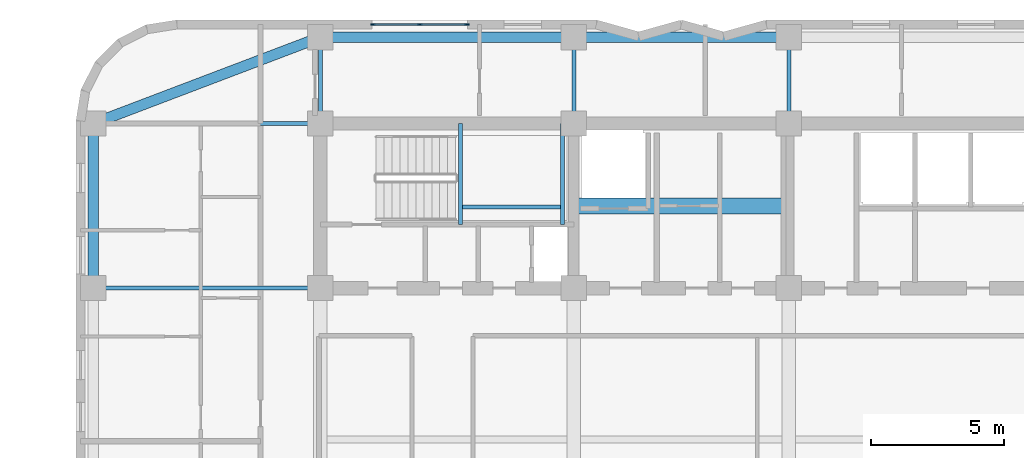
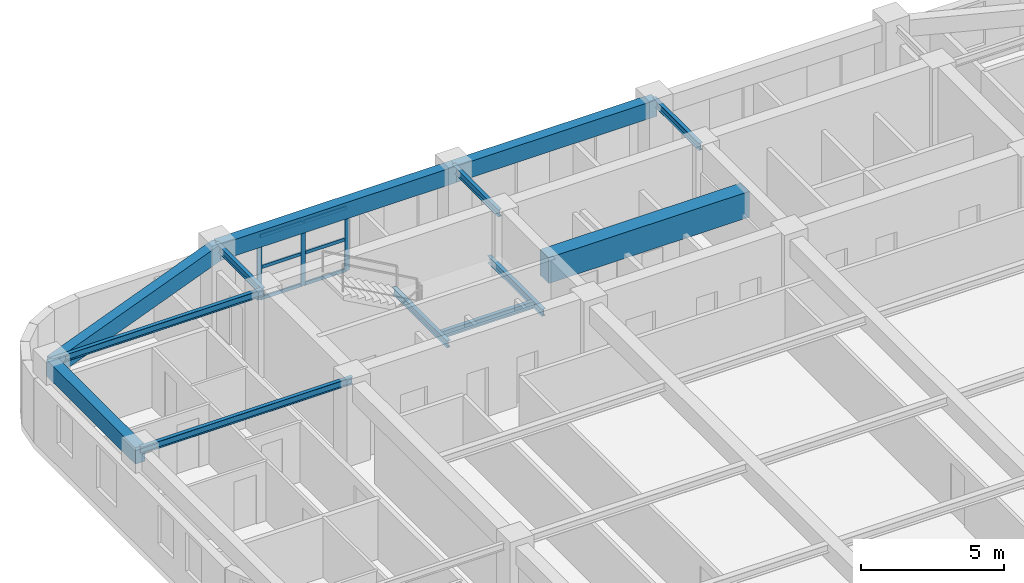
# One storey, part 3 of 12: 13 beams, 9 members, 1 element without a shape of its own.
"""IFC4 building model written with IfcOpenShell, lengths in metres."""

from ifc_helpers import new_model, si_unit, direction, frame, origin, origin_2d, place, context, subcontext, project, spatial, rectangle, i_section, extrude, material, material_profile, profile_set, type_object, element, aggregate, save


model = new_model("IFC4")

# Units and contexts
model_context = context("Model", 3, precision=1e-05, world=origin(), true_north=direction((0.0, 1.0)))
body_context = subcontext(model_context, "Body", "Model", "MODEL_VIEW")
ifc_project = project(units=[si_unit("LENGTHUNIT", "METRE"), si_unit("AREAUNIT", "SQUARE_METRE"), si_unit("VOLUMEUNIT", "CUBIC_METRE"), si_unit("PLANEANGLEUNIT", "RADIAN"), si_unit("MASSUNIT", "GRAM", prefix="KILO")], contexts=[model_context])

# Site, building, storey
site_placement = place(None, origin())
site = spatial("IfcSite", under=ifc_project, at=site_placement, CompositionType="ELEMENT")
building_placement = place(site_placement, origin())
building = spatial("IfcBuilding", under=site, at=building_placement, Name="Svetorya Sky Lyceum", CompositionType="ELEMENT")
storey_placement = place(building_placement, frame((0.0, 0.0, 158.89990234375)))
storey = spatial("IfcBuildingStorey", under=building, at=storey_placement, Name="L39", CompositionType="ELEMENT", Elevation=158.89990234375)

# Beams
ifc_material_1 = material(Name="Concrete C60/75", Category="concrete")
ifc_material_profile_1 = material_profile(ifc_material_1, rectangle(XDim=0.60009765625, YDim=1.10009765625, at=origin_2d()), Name="RC COUPLING 600x1100")
ifc_profile_set_1 = profile_set([ifc_material_profile_1], Name="Concrete C60/75")
beam_type_1 = type_object("IfcBeamType", Name="BM-CPL-1100", PredefinedType="LINTEL", material=ifc_profile_set_1)
beam_1_placement = place(storey_placement, frame((35.14990234375, 42.699951171875, 2.89013671875), z_axis=(1.0, 0.0, 0.0), x_axis=(0.0, 1.0, 0.0)))
element("IfcBeam", 1, at=beam_1_placement, inside=storey, type_object=beam_type_1, Name="L39 NC Core Coupling Beam", PredefinedType="LINTEL", context=body_context, shape_type="SweptSolid", body=[
    extrude(rectangle(XDim=0.60009765625, YDim=1.10009765625, at=origin_2d()), origin(), (0.0, 0.0, 1.0), 8.10009765625),
])
ifc_material_2 = material(Name="Concrete C50/60", Category="concrete")
ifc_material_profile_2 = material_profile(ifc_material_2, rectangle(XDim=0.39990234375, YDim=0.699951171875, at=origin_2d()), Name="RC SPANDREL 400x700")
ifc_profile_set_2 = profile_set([ifc_material_profile_2], Name="Concrete C50/60")
beam_type_2 = type_object("IfcBeamType", Name="BM-SPN-700", PredefinedType="SPANDREL", material=ifc_profile_set_2)
beam_2_placement = place(storey_placement, frame((25.60009765625, 49.050048828125, 3.090087890625), z_axis=(1.0, 0.0, 0.0), x_axis=(0.0, 1.0, 0.0)))
element("IfcBeam", 2, at=beam_2_placement, inside=storey, type_object=beam_type_2, Name="L39 North Spandrel 1", PredefinedType="SPANDREL", context=body_context, shape_type="SweptSolid", body=[
    extrude(rectangle(XDim=0.39990234375, YDim=0.699951171875, at=origin_2d()), origin(), (0.0, 0.0, 1.0), 9.5498046875),
])
beam_3_placement = place(storey_placement, frame((35.14990234375, 49.050048828125, 3.090087890625), z_axis=(1.0, 0.0, 0.0), x_axis=(0.0, 1.0, 0.0)))
element("IfcBeam", 3, at=beam_3_placement, inside=storey, type_object=beam_type_2, Name="L39 North Spandrel 2", PredefinedType="SPANDREL", context=body_context, shape_type="SweptSolid", body=[
    extrude(rectangle(XDim=0.39990234375, YDim=0.699951171875, at=origin_2d()), origin(), (0.0, 0.0, 1.0), 8.10009765625),
])
beam_4_placement = place(storey_placement, frame((17.050048828125, 45.800048828125, 3.090087890625), z_axis=(0.934747947367, 0.355311518099, 0.0), x_axis=(-0.355311518099, 0.934747947367, 0.0)))
element("IfcBeam", 4, at=beam_4_placement, inside=storey, type_object=beam_type_2, Name="L39 Corner Spandrel 4", PredefinedType="SPANDREL", context=body_context, shape_type="SweptSolid", body=[
    extrude(rectangle(XDim=0.39990234375, YDim=0.699951171875, at=origin_2d()), origin(), (0.0, 0.0, 1.0), 9.14697265625),
])
beam_5_placement = place(storey_placement, frame((17.050048828125, 39.60009765625, 3.090087890625), z_axis=(0.0, 1.0, 0.0), x_axis=(-1.0, 0.0, 0.0)))
element("IfcBeam", 5, at=beam_5_placement, inside=storey, type_object=beam_type_2, Name="L39 West Spandrel 4", PredefinedType="SPANDREL", context=body_context, shape_type="SweptSolid", body=[
    extrude(rectangle(XDim=0.39990234375, YDim=0.699951171875, at=origin_2d()), origin(), (0.0, 0.0, 1.0), 6.199951171875),
])
ifc_material_3 = material(Name="Steel S355", Category="steel")
ifc_material_profile_3 = material_profile(ifc_material_3, i_section(OverallWidth=0.14990234375, OverallDepth=0.299072265625, WebThickness=0.006591796875, FlangeThickness=0.010498046875, at=origin_2d()), Name="GOST 30B2")
ifc_profile_set_3 = profile_set([ifc_material_profile_3], Name="Steel S355")
beam_type_3 = type_object("IfcBeamType", Name="BM-STL-30B2", PredefinedType="JOIST", material=ifc_profile_set_3)
for number, where, z_axis, x_axis, name in (
    (6, (17.050048828125, 39.60009765625, 3.29052734375), (1.0, 0.0, 0.0), (0.0, 1.0, 0.0), "L39 West Wing Floor Joist W4"),
    (7, (17.050048828125, 45.800048828125, 3.29052734375), (1.0, 0.0, 0.0), (0.0, 1.0, 0.0), "L39 West Wing Floor Joist W5"),
):
    element("IfcBeam", number, at=place(storey_placement, frame(where, z_axis=z_axis, x_axis=x_axis)), inside=storey, type_object=beam_type_3, Name=name, PredefinedType="JOIST", context=body_context, shape_type="SweptSolid", body=[
        extrude(i_section(OverallWidth=0.14990234375, OverallDepth=0.299072265625, WebThickness=0.006591796875, FlangeThickness=0.010498046875, at=origin_2d()), origin(), (0.0, 0.0, 1.0), 8.550048828125),
    ])
for number, where, z_axis, x_axis, name in (
    (8, (25.60009765625, 45.800048828125, 3.29052734375), (0.0, 1.0, 0.0), (-1.0, 0.0, 0.0), "L39 North Bay Floor Girder N1"),
    (9, (35.14990234375, 45.800048828125, 3.29052734375), (0.0, 1.0, 0.0), (-1.0, 0.0, 0.0), "L39 North Bay Floor Girder N2"),
    (10, (43.25, 45.800048828125, 3.29052734375), (0.0, 1.0, 0.0), (-1.0, 0.0, 0.0), "L39 North Bay Floor Girder N3"),
):
    element("IfcBeam", number, at=place(storey_placement, frame(where, z_axis=z_axis, x_axis=x_axis)), inside=storey, type_object=beam_type_3, Name=name, PredefinedType="JOIST", context=body_context, shape_type="SweptSolid", body=[
        extrude(i_section(OverallWidth=0.14990234375, OverallDepth=0.299072265625, WebThickness=0.006591796875, FlangeThickness=0.010498046875, at=origin_2d()), origin(), (0.0, 0.0, 1.0), 3.25),
    ])
for number, where, z_axis, x_axis, name in (
    (11, (30.8798828125, 42.0, 1.50048828125), (0.0, 1.0, 0.0), (-1.0, 0.0, 0.0), "L39 Stair ST-N Half-Landing Support Beam 45.1"),
    (12, (34.719970703125, 42.0, 1.50048828125), (0.0, 1.0, 0.0), (-1.0, 0.0, 0.0), "L39 Stair ST-N Half-Landing Support Beam 45.2"),
):
    element("IfcBeam", number, at=place(storey_placement, frame(where, z_axis=z_axis, x_axis=x_axis)), inside=storey, type_object=beam_type_3, Name=name, PredefinedType="JOIST", context=body_context, shape_type="SweptSolid", body=[
        extrude(i_section(OverallWidth=0.14990234375, OverallDepth=0.299072265625, WebThickness=0.006591796875, FlangeThickness=0.010498046875, at=origin_2d()), origin(), (0.0, 0.0, 1.0), 3.800048828125),
    ])
beam_6_placement = place(storey_placement, frame((30.8798828125, 42.64990234375, 1.50048828125), z_axis=(1.0, 0.0, 0.0), x_axis=(0.0, 1.0, 0.0)))
element("IfcBeam", 13, at=beam_6_placement, inside=storey, type_object=beam_type_3, Name="L39 Stair ST-N Half-Landing Cross Tie 45", PredefinedType="JOIST", context=body_context, shape_type="SweptSolid", body=[
    extrude(i_section(OverallWidth=0.14990234375, OverallDepth=0.299072265625, WebThickness=0.006591796875, FlangeThickness=0.010498046875, at=origin_2d()), origin(), (0.0, 0.0, 1.0), 3.840087890625),
])

# Curtain wall, members
ifc_material_4 = material(Name="Thermally broken anodized aluminium and triple low-E glass", Category="aluminium")
curtain_wall_type = type_object("IfcCurtainWallType", Name="CW3-LOG-RES", PredefinedType="NOTDEFINED", material=ifc_material_4)
curtain_wall_placement = place(storey_placement, origin())
curtain_wall = element("IfcCurtainWall", 14, at=curtain_wall_placement, inside=storey, type_object=curtain_wall_type, Name="L39 Recessed Loggia Curtain Wall 34", PredefinedType="NOTDEFINED")
ifc_material_5 = material(Name="Thermally broken anodized aluminium EN AW-6060", Category="aluminium")
ifc_material_profile_4 = material_profile(ifc_material_5, rectangle(XDim=0.06494140625, YDim=0.179931640625, at=origin_2d()), Name="ALU MULLION 65x180")
ifc_profile_set_4 = profile_set([ifc_material_profile_4], Name="Thermally broken anodized aluminium EN AW-6060")
member_type_1 = type_object("IfcMemberType", Name="CWM-MUL-180", PredefinedType="MULLION", material=ifc_profile_set_4)
member_1_placement = place(storey_placement, frame((31.117431640625, 49.530029296875, 0.0), z_axis=(0.0, 0.0, 1.0), x_axis=(0.0, -1.0, 0.0)))
member_1 = element("IfcMember", 15, at=member_1_placement, type_object=member_type_1, Name="CW-3 mullion 1", PredefinedType="MULLION", context=body_context, shape_type="SweptSolid", body=[
    extrude(rectangle(XDim=0.06494140625, YDim=0.179931640625, at=origin_2d()), origin(), (0.0, 0.0, 1.0), 2.72021484375),
])
member_2_placement = place(storey_placement, frame((29.35009765625, 49.530029296875, 0.0), z_axis=(0.0, 0.0, 1.0), x_axis=(0.0, -1.0, 0.0)))
member_2 = element("IfcMember", 16, at=member_2_placement, type_object=member_type_1, Name="CW-3 mullion 2", PredefinedType="MULLION", context=body_context, shape_type="SweptSolid", body=[
    extrude(rectangle(XDim=0.06494140625, YDim=0.179931640625, at=origin_2d()), origin(), (0.0, 0.0, 1.0), 2.72021484375),
])
member_3_placement = place(storey_placement, frame((27.58251953125, 49.530029296875, 0.0), z_axis=(0.0, 0.0, 1.0), x_axis=(0.0, -1.0, 0.0)))
member_3 = element("IfcMember", 17, at=member_3_placement, type_object=member_type_1, Name="CW-3 mullion 3", PredefinedType="MULLION", context=body_context, shape_type="SweptSolid", body=[
    extrude(rectangle(XDim=0.06494140625, YDim=0.179931640625, at=origin_2d()), origin(), (0.0, 0.0, 1.0), 2.72021484375),
])
ifc_material_profile_5 = material_profile(ifc_material_5, rectangle(XDim=0.06494140625, YDim=0.139892578125, at=origin_2d()), Name="ALU TRANSOM 65x140")
ifc_profile_set_5 = profile_set([ifc_material_profile_5], Name="Thermally broken anodized aluminium EN AW-6060")
member_type_2 = type_object("IfcMemberType", Name="CWM-TRN-140", PredefinedType="USERDEFINED", material=ifc_profile_set_5)
member_4_placement = place(storey_placement, frame((31.08642578125, 49.530029296875, 0.03271484375), z_axis=(-1.0, 0.0, 0.0), x_axis=(0.0, -1.0, 0.0)))
member_4 = element("IfcMember", 18, at=member_4_placement, type_object=member_type_2, Name="CW-3 transom 1.1", ObjectType="TRANSOM", PredefinedType="USERDEFINED", context=body_context, shape_type="SweptSolid", body=[
    extrude(rectangle(XDim=0.06494140625, YDim=0.139892578125, at=origin_2d()), origin(), (0.0, 0.0, 1.0), 1.705322265625),
])
member_5_placement = place(storey_placement, frame((31.08642578125, 49.530029296875, 1.360107421875), z_axis=(-1.0, 0.0, 0.0), x_axis=(0.0, -1.0, 0.0)))
member_5 = element("IfcMember", 19, at=member_5_placement, type_object=member_type_2, Name="CW-3 transom 1.2", ObjectType="TRANSOM", PredefinedType="USERDEFINED", context=body_context, shape_type="SweptSolid", body=[
    extrude(rectangle(XDim=0.06494140625, YDim=0.139892578125, at=origin_2d()), origin(), (0.0, 0.0, 1.0), 1.705322265625),
])
member_6_placement = place(storey_placement, frame((31.08642578125, 49.530029296875, 2.6875), z_axis=(-1.0, 0.0, 0.0), x_axis=(0.0, -1.0, 0.0)))
member_6 = element("IfcMember", 20, at=member_6_placement, type_object=member_type_2, Name="CW-3 transom 1.3", ObjectType="TRANSOM", PredefinedType="USERDEFINED", context=body_context, shape_type="SweptSolid", body=[
    extrude(rectangle(XDim=0.06494140625, YDim=0.139892578125, at=origin_2d()), origin(), (0.0, 0.0, 1.0), 1.705322265625),
])
member_7_placement = place(storey_placement, frame((29.319091796875, 49.530029296875, 0.03271484375), z_axis=(-1.0, 0.0, 0.0), x_axis=(0.0, -1.0, 0.0)))
member_7 = element("IfcMember", 21, at=member_7_placement, type_object=member_type_2, Name="CW-3 transom 2.1", ObjectType="TRANSOM", PredefinedType="USERDEFINED", context=body_context, shape_type="SweptSolid", body=[
    extrude(rectangle(XDim=0.06494140625, YDim=0.139892578125, at=origin_2d()), origin(), (0.0, 0.0, 1.0), 1.70556640625),
])
member_8_placement = place(storey_placement, frame((29.319091796875, 49.530029296875, 1.360107421875), z_axis=(-1.0, 0.0, 0.0), x_axis=(0.0, -1.0, 0.0)))
member_8 = element("IfcMember", 22, at=member_8_placement, type_object=member_type_2, Name="CW-3 transom 2.2", ObjectType="TRANSOM", PredefinedType="USERDEFINED", context=body_context, shape_type="SweptSolid", body=[
    extrude(rectangle(XDim=0.06494140625, YDim=0.139892578125, at=origin_2d()), origin(), (0.0, 0.0, 1.0), 1.70556640625),
])
member_9_placement = place(storey_placement, frame((29.319091796875, 49.530029296875, 2.6875), z_axis=(-1.0, 0.0, 0.0), x_axis=(0.0, -1.0, 0.0)))
member_9 = element("IfcMember", 23, at=member_9_placement, type_object=member_type_2, Name="CW-3 transom 2.3", ObjectType="TRANSOM", PredefinedType="USERDEFINED", context=body_context, shape_type="SweptSolid", body=[
    extrude(rectangle(XDim=0.06494140625, YDim=0.139892578125, at=origin_2d()), origin(), (0.0, 0.0, 1.0), 1.70556640625),
])
aggregate(curtain_wall, [member_1, member_2, member_3, member_4, member_5, member_6, member_7, member_8, member_9])

save(model, "model.ifc")
